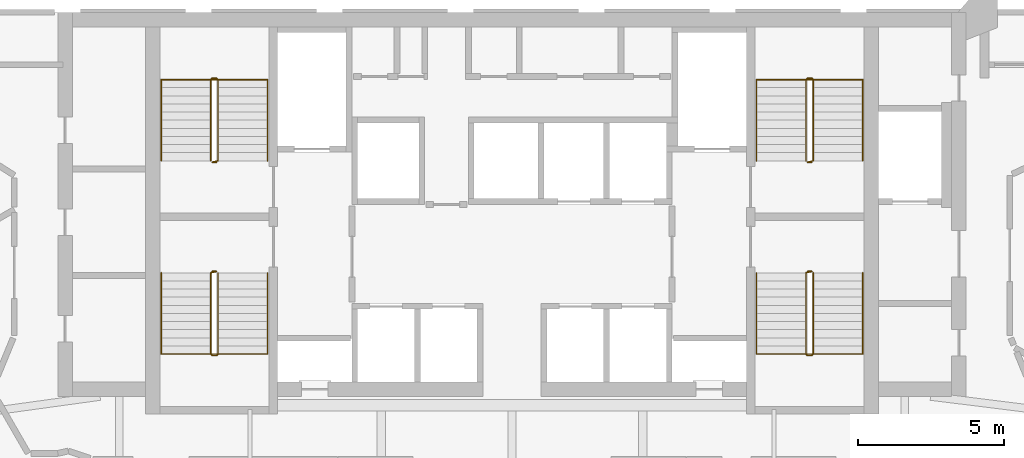
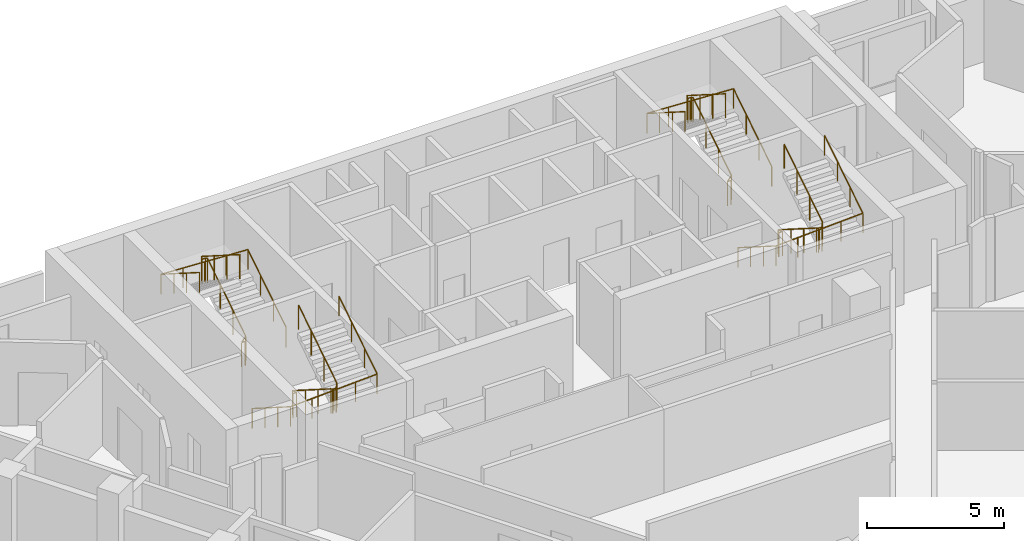
# One storey, part 10 of 10: 8 railings.
"""IFC4 building model written with IfcOpenShell, lengths in metres."""

from ifc_helpers import new_model, si_unit, direction, frame, origin, origin_2d, place, context, subcontext, project, spatial, circle, extrude, material, type_object, element, save


model = new_model("IFC4")

# Units and contexts
model_context = context("Model", 3, precision=1e-05, world=origin(), true_north=direction((0.0, 1.0)))
body_context = subcontext(model_context, "Body", "Model", "MODEL_VIEW")
ifc_project = project(units=[si_unit("LENGTHUNIT", "METRE"), si_unit("AREAUNIT", "SQUARE_METRE"), si_unit("VOLUMEUNIT", "CUBIC_METRE"), si_unit("PLANEANGLEUNIT", "RADIAN"), si_unit("MASSUNIT", "GRAM", prefix="KILO")], contexts=[model_context])

# Site, building, storey
site_placement = place(None, origin())
site = spatial("IfcSite", under=ifc_project, at=site_placement, CompositionType="ELEMENT")
building_placement = place(site_placement, origin())
building = spatial("IfcBuilding", under=site, at=building_placement, Name="Calabash Gate Tower", CompositionType="ELEMENT")
storey_placement = place(building_placement, frame((0.0, 0.0, 175.800048828125)))
storey = spatial("IfcBuildingStorey", under=building, at=storey_placement, Name="L41", CompositionType="ELEMENT", Elevation=175.800048828125)

# Railings
ifc_material_1 = material(Name="Black powder-coated steel balusters", Category="steel")
railing_type_1 = type_object("IfcRailingType", Name="Stair guard RL1100", PredefinedType="GUARDRAIL", material=ifc_material_1)
railing_1_placement = place(storey_placement, frame((-10.14990234375, 13.902587890625, 0.0)))
element("IfcRailing", 1, at=railing_1_placement, inside=storey, type_object=railing_type_1, Name="L41 ST1 stair guard 1", PredefinedType="GUARDRAIL", context=body_context, shape_type="SweptSolid", body=[
    extrude(circle(Radius=0.02392578125, at=origin_2d()), frame((0.0, 0.0, 1.076171875), z_axis=(-1.0, 0.0, 0.0), x_axis=(0.0, -1.0, 0.0)), (0.0, 0.0, 1.0), 0.150146484375),
    extrude(circle(Radius=0.02392578125, at=origin_2d()), frame((-0.150146484375, 0.0, 1.076171875), z_axis=(0.735524641326, 0.184105679453, 0.652003528208), x_axis=(-0.242814311512, 0.970072785993, 0.0)), (0.0, 0.0, 1.0), 0.271728515625),
    extrude(circle(Radius=0.02392578125, at=origin_2d()), frame((0.0498046875, 0.050048828125, 1.25341796875), z_axis=(0.0, 0.844041424197, 0.536277982245), x_axis=(-1.0, 0.0, 0.0)), (0.0, 0.0, 1.0), 3.3056640625),
    extrude(circle(Radius=0.02392578125, at=origin_2d()), frame((0.0498046875, 2.840087890625, 3.02587890625), z_axis=(-0.707106781187, 0.707106781187, 0.0), x_axis=(-0.707106781187, -0.707106781187, 0.0)), (0.0, 0.0, 1.0), 0.0703125),
    extrude(circle(Radius=0.02392578125, at=origin_2d()), frame((0.0, 2.889892578125, 3.02587890625), z_axis=(-1.0, 0.0, 0.0), x_axis=(0.0, -1.0, 0.0)), (0.0, 0.0, 1.0), 0.150146484375),
    extrude(circle(Radius=0.02392578125, at=origin_2d()), frame((-0.150146484375, 2.889892578125, 3.02587890625), z_axis=(-0.262321481514, -0.261041864531, 0.929001929653), x_axis=(0.705375805398, -0.708833529934, 0.0)), (0.0, 0.0, 1.0), 0.190673828125),
    extrude(circle(Radius=0.02392578125, at=origin_2d()), frame((-0.2001953125, 2.840087890625, 3.203125), z_axis=(0.0, -0.844041424197, 0.536277982245), x_axis=(1.0, 0.0, 0.0)), (0.0, 0.0, 1.0), 3.3056640625),
    extrude(circle(Radius=0.02099609375, at=origin_2d()), origin(), (0.0, 0.0, 1.0), 1.052001953125),
    extrude(circle(Radius=0.02099609375, at=origin_2d()), frame((-0.150146484375, 0.0, 0.0)), (0.0, 0.0, 1.0), 1.052001953125),
    extrude(circle(Radius=0.02099609375, at=origin_2d()), frame((0.0498046875, 0.050048828125, 0.17724609375)), (0.0, 0.0, 1.0), 1.052001953125),
    extrude(circle(Radius=0.02099609375, at=origin_2d()), frame((0.0498046875, 0.97998046875, 0.76806640625)), (0.0, 0.0, 1.0), 1.052001953125),
    extrude(circle(Radius=0.02099609375, at=origin_2d()), frame((0.0498046875, 1.91015625, 1.359130859375)), (0.0, 0.0, 1.0), 1.052001953125),
    extrude(circle(Radius=0.02099609375, at=origin_2d()), frame((0.0498046875, 2.840087890625, 1.949951171875)), (0.0, 0.0, 1.0), 1.052001953125),
    extrude(circle(Radius=0.02099609375, at=origin_2d()), frame((0.0, 2.889892578125, 1.949951171875)), (0.0, 0.0, 1.0), 1.052001953125),
    extrude(circle(Radius=0.02099609375, at=origin_2d()), frame((-0.150146484375, 2.889892578125, 1.949951171875)), (0.0, 0.0, 1.0), 1.052001953125),
    extrude(circle(Radius=0.02099609375, at=origin_2d()), frame((-0.2001953125, 2.840087890625, 2.127197265625)), (0.0, 0.0, 1.0), 1.052001953125),
    extrude(circle(Radius=0.02099609375, at=origin_2d()), frame((-0.2001953125, 1.91015625, 2.718017578125)), (0.0, 0.0, 1.0), 1.052001953125),
    extrude(circle(Radius=0.02099609375, at=origin_2d()), frame((-0.2001953125, 0.97998046875, 3.30908203125)), (0.0, 0.0, 1.0), 1.052001953125),
    extrude(circle(Radius=0.02099609375, at=origin_2d()), frame((-0.2001953125, 0.050048828125, 3.89990234375)), (0.0, 0.0, 1.0), 1.052001953125),
])
railing_2_placement = place(storey_placement, frame((-10.300048828125, 10.152587890625, 0.0)))
element("IfcRailing", 2, at=railing_2_placement, inside=storey, type_object=railing_type_1, Name="L41 ST2 stair guard 1", PredefinedType="GUARDRAIL", context=body_context, shape_type="SweptSolid", body=[
    extrude(circle(Radius=0.02392578125, at=origin_2d()), frame((0.0, 0.0, 1.076171875), z_axis=(1.0, 0.0, 0.0), x_axis=(0.0, 1.0, 0.0)), (0.0, 0.0, 1.0), 0.150146484375),
    extrude(circle(Radius=0.02392578125, at=origin_2d()), frame((0.150146484375, 0.0, 1.076171875), z_axis=(-0.735936453418, -0.183984113355, 0.651573006319), x_axis=(0.242535625036, -0.970142500145, 0.0)), (0.0, 0.0, 1.0), 0.27197265625),
    extrude(circle(Radius=0.02392578125, at=origin_2d()), frame((-0.050048828125, -0.050048828125, 1.25341796875), z_axis=(0.0, -0.844041424197, 0.536277982245), x_axis=(1.0, 0.0, 0.0)), (0.0, 0.0, 1.0), 3.3056640625),
    extrude(circle(Radius=0.02392578125, at=origin_2d()), frame((-0.050048828125, -2.840087890625, 3.02587890625), z_axis=(0.708833529934, -0.705375805398, 0.0), x_axis=(0.705375805398, 0.708833529934, 0.0)), (0.0, 0.0, 1.0), 0.070556640625),
    extrude(circle(Radius=0.02392578125, at=origin_2d()), frame((0.0, -2.889892578125, 3.02587890625), z_axis=(1.0, 0.0, 0.0), x_axis=(0.0, 1.0, 0.0)), (0.0, 0.0, 1.0), 0.150146484375),
    extrude(circle(Radius=0.02392578125, at=origin_2d()), frame((0.150146484375, -2.889892578125, 3.02587890625), z_axis=(0.261129318932, 0.261129318932, 0.929313164433), x_axis=(-0.707106781187, 0.707106781187, 0.0)), (0.0, 0.0, 1.0), 0.190673828125),
    extrude(circle(Radius=0.02392578125, at=origin_2d()), frame((0.199951171875, -2.840087890625, 3.203125), z_axis=(0.0, 0.844041424197, 0.536277982245), x_axis=(-1.0, 0.0, 0.0)), (0.0, 0.0, 1.0), 3.3056640625),
    extrude(circle(Radius=0.02099609375, at=origin_2d()), origin(), (0.0, 0.0, 1.0), 1.052001953125),
    extrude(circle(Radius=0.02099609375, at=origin_2d()), frame((0.150146484375, 0.0, 0.0)), (0.0, 0.0, 1.0), 1.052001953125),
    extrude(circle(Radius=0.02099609375, at=origin_2d()), frame((-0.050048828125, -0.050048828125, 0.17724609375)), (0.0, 0.0, 1.0), 1.052001953125),
    extrude(circle(Radius=0.02099609375, at=origin_2d()), frame((-0.050048828125, -0.97998046875, 0.76806640625)), (0.0, 0.0, 1.0), 1.052001953125),
    extrude(circle(Radius=0.02099609375, at=origin_2d()), frame((-0.050048828125, -1.91015625, 1.359130859375)), (0.0, 0.0, 1.0), 1.052001953125),
    extrude(circle(Radius=0.02099609375, at=origin_2d()), frame((-0.050048828125, -2.840087890625, 1.949951171875)), (0.0, 0.0, 1.0), 1.052001953125),
    extrude(circle(Radius=0.02099609375, at=origin_2d()), frame((0.0, -2.889892578125, 1.949951171875)), (0.0, 0.0, 1.0), 1.052001953125),
    extrude(circle(Radius=0.02099609375, at=origin_2d()), frame((0.150146484375, -2.889892578125, 1.949951171875)), (0.0, 0.0, 1.0), 1.052001953125),
    extrude(circle(Radius=0.02099609375, at=origin_2d()), frame((0.199951171875, -2.840087890625, 2.127197265625)), (0.0, 0.0, 1.0), 1.052001953125),
    extrude(circle(Radius=0.02099609375, at=origin_2d()), frame((0.199951171875, -1.91015625, 2.718017578125)), (0.0, 0.0, 1.0), 1.052001953125),
    extrude(circle(Radius=0.02099609375, at=origin_2d()), frame((0.199951171875, -0.97998046875, 3.30908203125)), (0.0, 0.0, 1.0), 1.052001953125),
    extrude(circle(Radius=0.02099609375, at=origin_2d()), frame((0.199951171875, -0.050048828125, 3.89990234375)), (0.0, 0.0, 1.0), 1.052001953125),
])
railing_3_placement = place(storey_placement, frame((10.300048828125, 13.902587890625, 0.0)))
element("IfcRailing", 3, at=railing_3_placement, inside=storey, type_object=railing_type_1, Name="L41 ST3 stair guard 1", PredefinedType="GUARDRAIL", context=body_context, shape_type="SweptSolid", body=[
    extrude(circle(Radius=0.02392578125, at=origin_2d()), frame((0.0, 0.0, 1.076171875), z_axis=(-1.0, 0.0, 0.0), x_axis=(0.0, -1.0, 0.0)), (0.0, 0.0, 1.0), 0.150146484375),
    extrude(circle(Radius=0.02392578125, at=origin_2d()), frame((-0.150146484375, 0.0, 1.076171875), z_axis=(0.735936453418, 0.183984113355, 0.651573006319), x_axis=(-0.242535625036, 0.970142500145, 0.0)), (0.0, 0.0, 1.0), 0.27197265625),
    extrude(circle(Radius=0.02392578125, at=origin_2d()), frame((0.050048828125, 0.050048828125, 1.25341796875), z_axis=(0.0, 0.844041424197, 0.536277982245), x_axis=(-1.0, 0.0, 0.0)), (0.0, 0.0, 1.0), 3.3056640625),
    extrude(circle(Radius=0.02392578125, at=origin_2d()), frame((0.050048828125, 2.840087890625, 3.02587890625), z_axis=(-0.708833529934, 0.705375805398, 0.0), x_axis=(-0.705375805398, -0.708833529934, 0.0)), (0.0, 0.0, 1.0), 0.070556640625),
    extrude(circle(Radius=0.02392578125, at=origin_2d()), frame((0.0, 2.889892578125, 3.02587890625), z_axis=(-1.0, 0.0, 0.0), x_axis=(0.0, -1.0, 0.0)), (0.0, 0.0, 1.0), 0.150146484375),
    extrude(circle(Radius=0.02392578125, at=origin_2d()), frame((-0.150146484375, 2.889892578125, 3.02587890625), z_axis=(-0.261129318932, -0.261129318932, 0.929313164433), x_axis=(0.707106781187, -0.707106781187, 0.0)), (0.0, 0.0, 1.0), 0.190673828125),
    extrude(circle(Radius=0.02392578125, at=origin_2d()), frame((-0.199951171875, 2.840087890625, 3.203125), z_axis=(0.0, -0.844041424197, 0.536277982245), x_axis=(1.0, 0.0, 0.0)), (0.0, 0.0, 1.0), 3.3056640625),
    extrude(circle(Radius=0.02099609375, at=origin_2d()), origin(), (0.0, 0.0, 1.0), 1.052001953125),
    extrude(circle(Radius=0.02099609375, at=origin_2d()), frame((-0.150146484375, 0.0, 0.0)), (0.0, 0.0, 1.0), 1.052001953125),
    extrude(circle(Radius=0.02099609375, at=origin_2d()), frame((0.050048828125, 0.050048828125, 0.17724609375)), (0.0, 0.0, 1.0), 1.052001953125),
    extrude(circle(Radius=0.02099609375, at=origin_2d()), frame((0.050048828125, 0.97998046875, 0.76806640625)), (0.0, 0.0, 1.0), 1.052001953125),
    extrude(circle(Radius=0.02099609375, at=origin_2d()), frame((0.050048828125, 1.91015625, 1.359130859375)), (0.0, 0.0, 1.0), 1.052001953125),
    extrude(circle(Radius=0.02099609375, at=origin_2d()), frame((0.050048828125, 2.840087890625, 1.949951171875)), (0.0, 0.0, 1.0), 1.052001953125),
    extrude(circle(Radius=0.02099609375, at=origin_2d()), frame((0.0, 2.889892578125, 1.949951171875)), (0.0, 0.0, 1.0), 1.052001953125),
    extrude(circle(Radius=0.02099609375, at=origin_2d()), frame((-0.150146484375, 2.889892578125, 1.949951171875)), (0.0, 0.0, 1.0), 1.052001953125),
    extrude(circle(Radius=0.02099609375, at=origin_2d()), frame((-0.199951171875, 2.840087890625, 2.127197265625)), (0.0, 0.0, 1.0), 1.052001953125),
    extrude(circle(Radius=0.02099609375, at=origin_2d()), frame((-0.199951171875, 1.91015625, 2.718017578125)), (0.0, 0.0, 1.0), 1.052001953125),
    extrude(circle(Radius=0.02099609375, at=origin_2d()), frame((-0.199951171875, 0.97998046875, 3.30908203125)), (0.0, 0.0, 1.0), 1.052001953125),
    extrude(circle(Radius=0.02099609375, at=origin_2d()), frame((-0.199951171875, 0.050048828125, 3.89990234375)), (0.0, 0.0, 1.0), 1.052001953125),
])
railing_4_placement = place(storey_placement, frame((10.14990234375, 10.152587890625, 0.0)))
element("IfcRailing", 4, at=railing_4_placement, inside=storey, type_object=railing_type_1, Name="L41 ST4 stair guard 1", PredefinedType="GUARDRAIL", context=body_context, shape_type="SweptSolid", body=[
    extrude(circle(Radius=0.02392578125, at=origin_2d()), frame((0.0, 0.0, 1.076171875), z_axis=(1.0, 0.0, 0.0), x_axis=(0.0, 1.0, 0.0)), (0.0, 0.0, 1.0), 0.150146484375),
    extrude(circle(Radius=0.02392578125, at=origin_2d()), frame((0.150146484375, 0.0, 1.076171875), z_axis=(-0.735524641326, -0.184105679453, 0.652003528208), x_axis=(0.242814311512, -0.970072785993, 0.0)), (0.0, 0.0, 1.0), 0.271728515625),
    extrude(circle(Radius=0.02392578125, at=origin_2d()), frame((-0.0498046875, -0.050048828125, 1.25341796875), z_axis=(0.0, -0.844041424197, 0.536277982245), x_axis=(1.0, 0.0, 0.0)), (0.0, 0.0, 1.0), 3.3056640625),
    extrude(circle(Radius=0.02392578125, at=origin_2d()), frame((-0.0498046875, -2.840087890625, 3.02587890625), z_axis=(0.707106781187, -0.707106781187, 0.0), x_axis=(0.707106781187, 0.707106781187, 0.0)), (0.0, 0.0, 1.0), 0.0703125),
    extrude(circle(Radius=0.02392578125, at=origin_2d()), frame((0.0, -2.889892578125, 3.02587890625), z_axis=(1.0, 0.0, 0.0), x_axis=(0.0, 1.0, 0.0)), (0.0, 0.0, 1.0), 0.150146484375),
    extrude(circle(Radius=0.02392578125, at=origin_2d()), frame((0.150146484375, -2.889892578125, 3.02587890625), z_axis=(0.262321481514, 0.261041864531, 0.929001929653), x_axis=(-0.705375805398, 0.708833529934, 0.0)), (0.0, 0.0, 1.0), 0.190673828125),
    extrude(circle(Radius=0.02392578125, at=origin_2d()), frame((0.2001953125, -2.840087890625, 3.203125), z_axis=(0.0, 0.844041424197, 0.536277982245), x_axis=(-1.0, 0.0, 0.0)), (0.0, 0.0, 1.0), 3.3056640625),
    extrude(circle(Radius=0.02099609375, at=origin_2d()), origin(), (0.0, 0.0, 1.0), 1.052001953125),
    extrude(circle(Radius=0.02099609375, at=origin_2d()), frame((0.150146484375, 0.0, 0.0)), (0.0, 0.0, 1.0), 1.052001953125),
    extrude(circle(Radius=0.02099609375, at=origin_2d()), frame((-0.0498046875, -0.050048828125, 0.17724609375)), (0.0, 0.0, 1.0), 1.052001953125),
    extrude(circle(Radius=0.02099609375, at=origin_2d()), frame((-0.0498046875, -0.97998046875, 0.76806640625)), (0.0, 0.0, 1.0), 1.052001953125),
    extrude(circle(Radius=0.02099609375, at=origin_2d()), frame((-0.0498046875, -1.91015625, 1.359130859375)), (0.0, 0.0, 1.0), 1.052001953125),
    extrude(circle(Radius=0.02099609375, at=origin_2d()), frame((-0.0498046875, -2.840087890625, 1.949951171875)), (0.0, 0.0, 1.0), 1.052001953125),
    extrude(circle(Radius=0.02099609375, at=origin_2d()), frame((0.0, -2.889892578125, 1.949951171875)), (0.0, 0.0, 1.0), 1.052001953125),
    extrude(circle(Radius=0.02099609375, at=origin_2d()), frame((0.150146484375, -2.889892578125, 1.949951171875)), (0.0, 0.0, 1.0), 1.052001953125),
    extrude(circle(Radius=0.02099609375, at=origin_2d()), frame((0.2001953125, -2.840087890625, 2.127197265625)), (0.0, 0.0, 1.0), 1.052001953125),
    extrude(circle(Radius=0.02099609375, at=origin_2d()), frame((0.2001953125, -1.91015625, 2.718017578125)), (0.0, 0.0, 1.0), 1.052001953125),
    extrude(circle(Radius=0.02099609375, at=origin_2d()), frame((0.2001953125, -0.97998046875, 3.30908203125)), (0.0, 0.0, 1.0), 1.052001953125),
    extrude(circle(Radius=0.02099609375, at=origin_2d()), frame((0.2001953125, -0.050048828125, 3.89990234375)), (0.0, 0.0, 1.0), 1.052001953125),
])
ifc_material_2 = material(Name="Black powder-coated steel tube 48 mm", Category="steel")
railing_type_2 = type_object("IfcRailingType", Name="Stair handrail RL900", PredefinedType="HANDRAIL", material=ifc_material_2)
railing_5_placement = place(storey_placement, frame((-8.39990234375, 13.95263671875, 0.17724609375)))
element("IfcRailing", 5, at=railing_5_placement, inside=storey, type_object=railing_type_2, Name="L41 ST1 stair handrail 1", PredefinedType="HANDRAIL", context=body_context, shape_type="SweptSolid", body=[
    extrude(circle(Radius=0.02392578125, at=origin_2d()), frame((0.0, 0.0, 0.8759765625), z_axis=(0.0, 0.844041424197, 0.536277982245), x_axis=(-1.0, 0.0, 0.0)), (0.0, 0.0, 1.0), 3.3056640625),
    extrude(circle(Radius=0.02392578125, at=origin_2d()), frame((0.0, 2.7900390625, 2.6484375), z_axis=(-0.998823110844, 0.0, 0.048501476722), x_axis=(0.0, -1.0, 0.0)), (0.0, 0.0, 1.0), 3.654541015625),
    extrude(circle(Radius=0.02392578125, at=origin_2d()), frame((-3.650146484375, 2.7900390625, 2.82568359375), z_axis=(0.0, -0.844041424197, 0.536277982245), x_axis=(1.0, 0.0, 0.0)), (0.0, 0.0, 1.0), 3.3056640625),
    extrude(circle(Radius=0.02099609375, at=origin_2d()), origin(), (0.0, 0.0, 1.0), 0.851806640625),
    extrude(circle(Radius=0.02099609375, at=origin_2d()), frame((0.0, 0.929931640625, 0.5908203125)), (0.0, 0.0, 1.0), 0.851806640625),
    extrude(circle(Radius=0.02099609375, at=origin_2d()), frame((0.0, 1.860107421875, 1.181884765625)), (0.0, 0.0, 1.0), 0.851806640625),
    extrude(circle(Radius=0.02099609375, at=origin_2d()), frame((0.0, 2.7900390625, 1.772705078125)), (0.0, 0.0, 1.0), 0.851806640625),
    extrude(circle(Radius=0.02099609375, at=origin_2d()), frame((-0.91259765625, 2.7900390625, 1.81689453125)), (0.0, 0.0, 1.0), 0.851806640625),
    extrude(circle(Radius=0.02099609375, at=origin_2d()), frame((-1.8251953125, 2.7900390625, 1.861328125)), (0.0, 0.0, 1.0), 0.851806640625),
    extrude(circle(Radius=0.02099609375, at=origin_2d()), frame((-2.737548828125, 2.7900390625, 1.90576171875)), (0.0, 0.0, 1.0), 0.851806640625),
    extrude(circle(Radius=0.02099609375, at=origin_2d()), frame((-3.650146484375, 2.7900390625, 1.949951171875)), (0.0, 0.0, 1.0), 0.851806640625),
    extrude(circle(Radius=0.02099609375, at=origin_2d()), frame((-3.650146484375, 1.860107421875, 2.540771484375)), (0.0, 0.0, 1.0), 0.851806640625),
    extrude(circle(Radius=0.02099609375, at=origin_2d()), frame((-3.650146484375, 0.929931640625, 3.1318359375)), (0.0, 0.0, 1.0), 0.851806640625),
    extrude(circle(Radius=0.02099609375, at=origin_2d()), frame((-3.650146484375, 0.0, 3.72265625)), (0.0, 0.0, 1.0), 0.851806640625),
])
railing_6_placement = place(storey_placement, frame((-12.050048828125, 10.1025390625, 0.17724609375)))
element("IfcRailing", 6, at=railing_6_placement, inside=storey, type_object=railing_type_2, Name="L41 ST2 stair handrail 1", PredefinedType="HANDRAIL", context=body_context, shape_type="SweptSolid", body=[
    extrude(circle(Radius=0.02392578125, at=origin_2d()), frame((0.0, 0.0, 0.8759765625), z_axis=(0.0, -0.844041424197, 0.536277982245), x_axis=(1.0, 0.0, 0.0)), (0.0, 0.0, 1.0), 3.3056640625),
    extrude(circle(Radius=0.02392578125, at=origin_2d()), frame((0.0, -2.7900390625, 2.6484375), z_axis=(0.998823110844, 0.0, 0.048501476722), x_axis=(0.0, 1.0, 0.0)), (0.0, 0.0, 1.0), 3.654541015625),
    extrude(circle(Radius=0.02392578125, at=origin_2d()), frame((3.650146484375, -2.7900390625, 2.82568359375), z_axis=(0.0, 0.844041424197, 0.536277982245), x_axis=(-1.0, 0.0, 0.0)), (0.0, 0.0, 1.0), 3.3056640625),
    extrude(circle(Radius=0.02099609375, at=origin_2d()), origin(), (0.0, 0.0, 1.0), 0.851806640625),
    extrude(circle(Radius=0.02099609375, at=origin_2d()), frame((0.0, -0.929931640625, 0.5908203125)), (0.0, 0.0, 1.0), 0.851806640625),
    extrude(circle(Radius=0.02099609375, at=origin_2d()), frame((0.0, -1.860107421875, 1.181884765625)), (0.0, 0.0, 1.0), 0.851806640625),
    extrude(circle(Radius=0.02099609375, at=origin_2d()), frame((0.0, -2.7900390625, 1.772705078125)), (0.0, 0.0, 1.0), 0.851806640625),
    extrude(circle(Radius=0.02099609375, at=origin_2d()), frame((0.91259765625, -2.7900390625, 1.81689453125)), (0.0, 0.0, 1.0), 0.851806640625),
    extrude(circle(Radius=0.02099609375, at=origin_2d()), frame((1.8251953125, -2.7900390625, 1.861328125)), (0.0, 0.0, 1.0), 0.851806640625),
    extrude(circle(Radius=0.02099609375, at=origin_2d()), frame((2.737548828125, -2.7900390625, 1.90576171875)), (0.0, 0.0, 1.0), 0.851806640625),
    extrude(circle(Radius=0.02099609375, at=origin_2d()), frame((3.650146484375, -2.7900390625, 1.949951171875)), (0.0, 0.0, 1.0), 0.851806640625),
    extrude(circle(Radius=0.02099609375, at=origin_2d()), frame((3.650146484375, -1.860107421875, 2.540771484375)), (0.0, 0.0, 1.0), 0.851806640625),
    extrude(circle(Radius=0.02099609375, at=origin_2d()), frame((3.650146484375, -0.929931640625, 3.1318359375)), (0.0, 0.0, 1.0), 0.851806640625),
    extrude(circle(Radius=0.02099609375, at=origin_2d()), frame((3.650146484375, 0.0, 3.72265625)), (0.0, 0.0, 1.0), 0.851806640625),
])
railing_7_placement = place(storey_placement, frame((12.050048828125, 13.95263671875, 0.17724609375)))
element("IfcRailing", 7, at=railing_7_placement, inside=storey, type_object=railing_type_2, Name="L41 ST3 stair handrail 1", PredefinedType="HANDRAIL", context=body_context, shape_type="SweptSolid", body=[
    extrude(circle(Radius=0.02392578125, at=origin_2d()), frame((0.0, 0.0, 0.8759765625), z_axis=(0.0, 0.844041424197, 0.536277982245), x_axis=(-1.0, 0.0, 0.0)), (0.0, 0.0, 1.0), 3.3056640625),
    extrude(circle(Radius=0.02392578125, at=origin_2d()), frame((0.0, 2.7900390625, 2.6484375), z_axis=(-0.998823110844, 0.0, 0.048501476722), x_axis=(0.0, -1.0, 0.0)), (0.0, 0.0, 1.0), 3.654541015625),
    extrude(circle(Radius=0.02392578125, at=origin_2d()), frame((-3.650146484375, 2.7900390625, 2.82568359375), z_axis=(0.0, -0.844041424197, 0.536277982245), x_axis=(1.0, 0.0, 0.0)), (0.0, 0.0, 1.0), 3.3056640625),
    extrude(circle(Radius=0.02099609375, at=origin_2d()), origin(), (0.0, 0.0, 1.0), 0.851806640625),
    extrude(circle(Radius=0.02099609375, at=origin_2d()), frame((0.0, 0.929931640625, 0.5908203125)), (0.0, 0.0, 1.0), 0.851806640625),
    extrude(circle(Radius=0.02099609375, at=origin_2d()), frame((0.0, 1.860107421875, 1.181884765625)), (0.0, 0.0, 1.0), 0.851806640625),
    extrude(circle(Radius=0.02099609375, at=origin_2d()), frame((0.0, 2.7900390625, 1.772705078125)), (0.0, 0.0, 1.0), 0.851806640625),
    extrude(circle(Radius=0.02099609375, at=origin_2d()), frame((-0.91259765625, 2.7900390625, 1.81689453125)), (0.0, 0.0, 1.0), 0.851806640625),
    extrude(circle(Radius=0.02099609375, at=origin_2d()), frame((-1.8251953125, 2.7900390625, 1.861328125)), (0.0, 0.0, 1.0), 0.851806640625),
    extrude(circle(Radius=0.02099609375, at=origin_2d()), frame((-2.737548828125, 2.7900390625, 1.90576171875)), (0.0, 0.0, 1.0), 0.851806640625),
    extrude(circle(Radius=0.02099609375, at=origin_2d()), frame((-3.650146484375, 2.7900390625, 1.949951171875)), (0.0, 0.0, 1.0), 0.851806640625),
    extrude(circle(Radius=0.02099609375, at=origin_2d()), frame((-3.650146484375, 1.860107421875, 2.540771484375)), (0.0, 0.0, 1.0), 0.851806640625),
    extrude(circle(Radius=0.02099609375, at=origin_2d()), frame((-3.650146484375, 0.929931640625, 3.1318359375)), (0.0, 0.0, 1.0), 0.851806640625),
    extrude(circle(Radius=0.02099609375, at=origin_2d()), frame((-3.650146484375, 0.0, 3.72265625)), (0.0, 0.0, 1.0), 0.851806640625),
])
railing_8_placement = place(storey_placement, frame((8.39990234375, 10.1025390625, 0.17724609375)))
element("IfcRailing", 8, at=railing_8_placement, inside=storey, type_object=railing_type_2, Name="L41 ST4 stair handrail 1", PredefinedType="HANDRAIL", context=body_context, shape_type="SweptSolid", body=[
    extrude(circle(Radius=0.02392578125, at=origin_2d()), frame((0.0, 0.0, 0.8759765625), z_axis=(0.0, -0.844041424197, 0.536277982245), x_axis=(1.0, 0.0, 0.0)), (0.0, 0.0, 1.0), 3.3056640625),
    extrude(circle(Radius=0.02392578125, at=origin_2d()), frame((0.0, -2.7900390625, 2.6484375), z_axis=(0.998823110844, 0.0, 0.048501476722), x_axis=(0.0, 1.0, 0.0)), (0.0, 0.0, 1.0), 3.654541015625),
    extrude(circle(Radius=0.02392578125, at=origin_2d()), frame((3.650146484375, -2.7900390625, 2.82568359375), z_axis=(0.0, 0.844041424197, 0.536277982245), x_axis=(-1.0, 0.0, 0.0)), (0.0, 0.0, 1.0), 3.3056640625),
    extrude(circle(Radius=0.02099609375, at=origin_2d()), origin(), (0.0, 0.0, 1.0), 0.851806640625),
    extrude(circle(Radius=0.02099609375, at=origin_2d()), frame((0.0, -0.929931640625, 0.5908203125)), (0.0, 0.0, 1.0), 0.851806640625),
    extrude(circle(Radius=0.02099609375, at=origin_2d()), frame((0.0, -1.860107421875, 1.181884765625)), (0.0, 0.0, 1.0), 0.851806640625),
    extrude(circle(Radius=0.02099609375, at=origin_2d()), frame((0.0, -2.7900390625, 1.772705078125)), (0.0, 0.0, 1.0), 0.851806640625),
    extrude(circle(Radius=0.02099609375, at=origin_2d()), frame((0.91259765625, -2.7900390625, 1.81689453125)), (0.0, 0.0, 1.0), 0.851806640625),
    extrude(circle(Radius=0.02099609375, at=origin_2d()), frame((1.8251953125, -2.7900390625, 1.861328125)), (0.0, 0.0, 1.0), 0.851806640625),
    extrude(circle(Radius=0.02099609375, at=origin_2d()), frame((2.737548828125, -2.7900390625, 1.90576171875)), (0.0, 0.0, 1.0), 0.851806640625),
    extrude(circle(Radius=0.02099609375, at=origin_2d()), frame((3.650146484375, -2.7900390625, 1.949951171875)), (0.0, 0.0, 1.0), 0.851806640625),
    extrude(circle(Radius=0.02099609375, at=origin_2d()), frame((3.650146484375, -1.860107421875, 2.540771484375)), (0.0, 0.0, 1.0), 0.851806640625),
    extrude(circle(Radius=0.02099609375, at=origin_2d()), frame((3.650146484375, -0.929931640625, 3.1318359375)), (0.0, 0.0, 1.0), 0.851806640625),
    extrude(circle(Radius=0.02099609375, at=origin_2d()), frame((3.650146484375, 0.0, 3.72265625)), (0.0, 0.0, 1.0), 0.851806640625),
])

save(model, "model.ifc")
